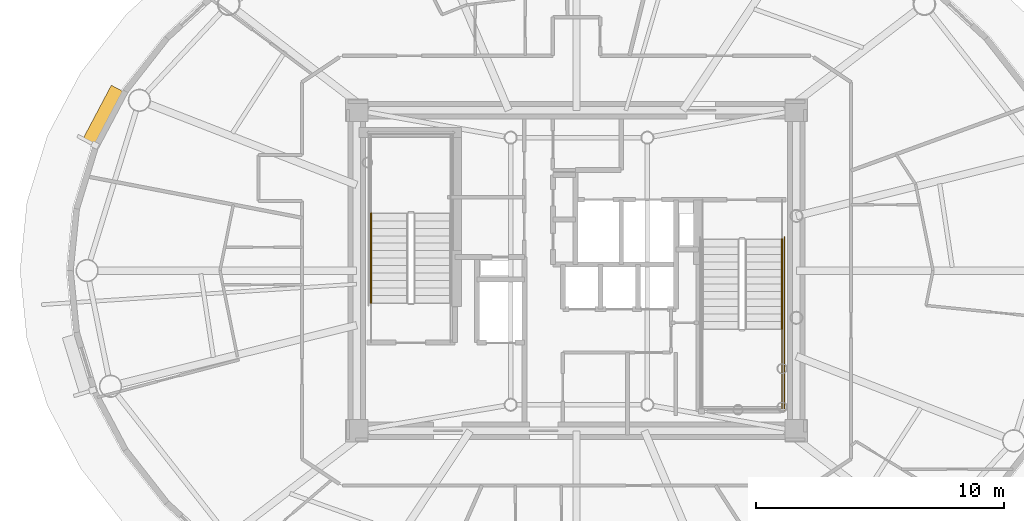
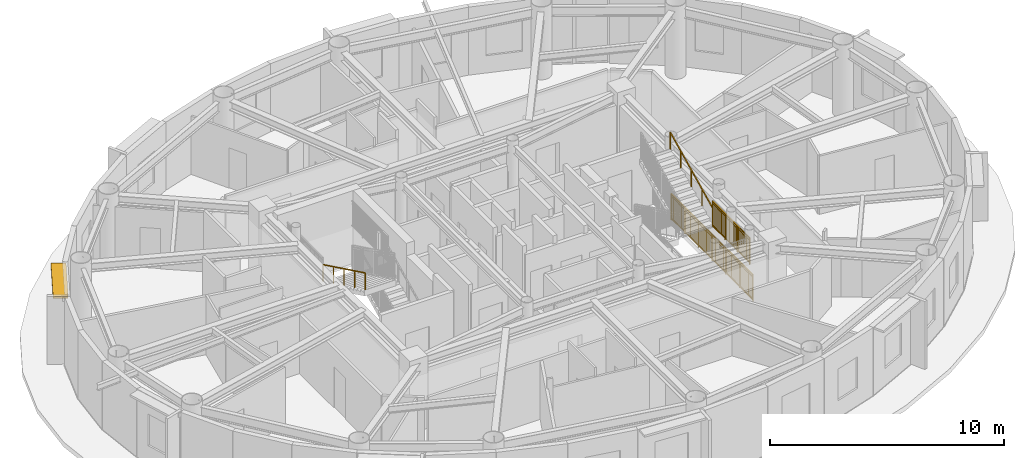
# One storey, part 14 of 17: 4 railings, 1 shading device.
"""IFC4 building model written with IfcOpenShell, lengths in metres."""

from ifc_helpers import new_model, si_unit, direction, frame, origin, origin_2d, place, context, subcontext, project, spatial, rectangle, extrude, source, transform, mapped, material, layer, layer_set, type_object, element, save


model = new_model("IFC4")

# Units and contexts
model_context = context("Model", 3, precision=1e-05, world=origin(), true_north=direction((0.0, 1.0)))
body_context = subcontext(model_context, "Body", "Model", "MODEL_VIEW")
ifc_project = project(units=[si_unit("LENGTHUNIT", "METRE"), si_unit("AREAUNIT", "SQUARE_METRE"), si_unit("VOLUMEUNIT", "CUBIC_METRE"), si_unit("PLANEANGLEUNIT", "RADIAN"), si_unit("MASSUNIT", "GRAM", prefix="KILO")], contexts=[model_context])

# Site, building, storey
site_placement = place(None, origin())
site = spatial("IfcSite", under=ifc_project, at=site_placement, CompositionType="ELEMENT")
building_placement = place(site_placement, origin())
building = spatial("IfcBuilding", under=site, at=building_placement, Name="Linh Dai School and Residence Tower", CompositionType="ELEMENT")
storey_placement = place(building_placement, frame((0.0, 0.0, 324.0)))
storey = spatial("IfcBuildingStorey", under=building, at=storey_placement, Name="L80", CompositionType="ELEMENT", Elevation=324.0)

# Shading device
ifc_material_1 = material(Name="Terracotta Ceramic Sunshade", Category="masonry")
ifc_layer = layer(ifc_material_1, 0.10009765625)
ifc_layer_set = layer_set([ifc_layer], Name="Terracotta Ceramic Sunshade")
shading_device_type = type_object("IfcShadingDeviceType", Name="SHD-TC-650", PredefinedType="USERDEFINED", material=ifc_layer_set)
shared_shape_1 = source(origin(), body_context, "Body", "SweptSolid", [
    extrude(rectangle(XDim=2.505615234375, YDim=0.64990234375, at=origin_2d()), origin(), (0.0, 0.0, 1.0), 0.10009765625),
])
shading_device_placement = place(storey_placement, frame((16.97705078125, 33.2001953125, 3.429931640625), z_axis=(0.0, 0.0, 1.0), x_axis=(0.46754020214, 0.883971809156, 0.0)))
element("IfcShadingDevice", 1, at=shading_device_placement, inside=storey, type_object=shading_device_type, Name="L80 Terracotta Horizontal Sunshade Band 18", ObjectType="SUNSHADE", PredefinedType="USERDEFINED", context=body_context, shape_type="MappedRepresentation", body=[
    mapped(shared_shape_1, transform((0.0, 0.0, 0.0), x_axis=(1.0, 0.0, 0.0), y_axis=(0.0, 1.0, 0.0), z_axis=(0.0, 0.0, 1.0), scale=1.0)),
])

# Railings
ifc_material_2 = material(Name="Brushed Stainless Steel Handrail", Category="steel")
railing_type_1 = type_object("IfcRailingType", Name="RL-ST-HANDRAIL-900", PredefinedType="HANDRAIL", material=ifc_material_2)
shared_shape_2 = source(origin(), body_context, "Body", "SweptSolid", [
    extrude(rectangle(XDim=0.048095703125, YDim=0.048095703125, at=origin_2d()), frame((0.0, 0.0, 0.8759765625), z_axis=(0.0, -0.898988637874, 0.437971949985), x_axis=(1.0, 0.0, 0.0)), (0.0, 0.0, 1.0), 4.004638671875),
    extrude(rectangle(XDim=0.0419921875, YDim=0.0419921875, at=origin_2d()), origin(), (0.0, 0.0, 1.0), 0.8759765625),
    extrude(rectangle(XDim=0.0419921875, YDim=0.0419921875, at=origin_2d()), frame((0.0, -0.89990234375, 0.4384765625)), (0.0, 0.0, 1.0), 0.8759765625),
    extrude(rectangle(XDim=0.0419921875, YDim=0.0419921875, at=origin_2d()), frame((0.0, -1.800048828125, 0.876953125)), (0.0, 0.0, 1.0), 0.8759765625),
    extrude(rectangle(XDim=0.0419921875, YDim=0.0419921875, at=origin_2d()), frame((0.0, -2.7001953125, 1.3154296875)), (0.0, 0.0, 1.0), 0.8759765625),
    extrude(rectangle(XDim=0.0419921875, YDim=0.0419921875, at=origin_2d()), frame((0.0, -3.60009765625, 1.75390625)), (0.0, 0.0, 1.0), 0.8759765625),
])
railing_1_placement = place(storey_placement, frame((27.72998046875, 29.300048828125, 2.046142578125)))
element("IfcRailing", 2, at=railing_1_placement, inside=storey, type_object=railing_type_1, Name="L80 ST1 stair handrail 2", PredefinedType="HANDRAIL", context=body_context, shape_type="MappedRepresentation", body=[
    mapped(shared_shape_2, transform((0.0, 0.0, 0.0), x_axis=(1.0, 0.0, 0.0), y_axis=(0.0, 1.0, 0.0), z_axis=(0.0, 0.0, 1.0), scale=1.0)),
])
shared_shape_3 = source(origin(), body_context, "Body", "SweptSolid", [
    extrude(rectangle(XDim=0.048095703125, YDim=0.048095703125, at=origin_2d()), frame((0.0, 0.0, 0.8759765625), z_axis=(0.0, 0.898988637874, 0.437971949985), x_axis=(-1.0, 0.0, 0.0)), (0.0, 0.0, 1.0), 4.004638671875),
    extrude(rectangle(XDim=0.0419921875, YDim=0.0419921875, at=origin_2d()), origin(), (0.0, 0.0, 1.0), 0.8759765625),
    extrude(rectangle(XDim=0.0419921875, YDim=0.0419921875, at=origin_2d()), frame((0.0, 0.89990234375, 0.4384765625)), (0.0, 0.0, 1.0), 0.8759765625),
    extrude(rectangle(XDim=0.0419921875, YDim=0.0419921875, at=origin_2d()), frame((0.0, 1.800048828125, 0.876953125)), (0.0, 0.0, 1.0), 0.8759765625),
    extrude(rectangle(XDim=0.0419921875, YDim=0.0419921875, at=origin_2d()), frame((0.0, 2.7001953125, 1.3154296875)), (0.0, 0.0, 1.0), 0.8759765625),
    extrude(rectangle(XDim=0.0419921875, YDim=0.0419921875, at=origin_2d()), frame((0.0, 3.60009765625, 1.75390625)), (0.0, 0.0, 1.0), 0.8759765625),
])
railing_2_placement = place(storey_placement, frame((44.27001953125, 24.64990234375, 2.046142578125)))
element("IfcRailing", 3, at=railing_2_placement, inside=storey, type_object=railing_type_1, Name="L80 ST2 stair handrail 2", PredefinedType="HANDRAIL", context=body_context, shape_type="MappedRepresentation", body=[
    mapped(shared_shape_3, transform((0.0, 0.0, 0.0), x_axis=(1.0, 0.0, 0.0), y_axis=(0.0, 1.0, 0.0), z_axis=(0.0, 0.0, 1.0), scale=1.0)),
])
ifc_material_3 = material(Name="Structural Steel S355JR", Category="steel")
railing_type_2 = type_object("IfcRailingType", Name="RL-ST-GUARD-1400", PredefinedType="GUARDRAIL", material=ifc_material_3)
shared_shape_4 = source(origin(), body_context, "Body", "SweptSolid", [
    extrude(rectangle(XDim=0.048095703125, YDim=0.048095703125, at=origin_2d()), frame((0.0, 0.0, 1.3759765625), z_axis=(0.0, -1.0, 0.0), x_axis=(1.0, 0.0, 0.0)), (0.0, 0.0, 1.0), 7.0),
    extrude(rectangle(XDim=0.048095703125, YDim=0.048095703125, at=origin_2d()), frame((0.0, 0.0, 0.10009765625), z_axis=(0.0, -1.0, 0.0), x_axis=(1.0, 0.0, 0.0)), (0.0, 0.0, 1.0), 7.0),
    extrude(rectangle(XDim=0.030029296875, YDim=0.030029296875, at=origin_2d()), frame((0.0, 0.0, 1.239990234375), z_axis=(0.0, -1.0, 0.0), x_axis=(1.0, 0.0, 0.0)), (0.0, 0.0, 1.0), 7.0),
    extrude(rectangle(XDim=0.02001953125, YDim=0.02001953125, at=origin_2d()), frame((0.0, -0.09716796875, 0.10009765625)), (0.0, 0.0, 1.0), 1.251708984375),
    extrude(rectangle(XDim=0.02001953125, YDim=0.02001953125, at=origin_2d()), frame((0.0, -0.1943359375, 0.10009765625)), (0.0, 0.0, 1.0), 1.251708984375),
    extrude(rectangle(XDim=0.02001953125, YDim=0.02001953125, at=origin_2d()), frame((0.0, -0.291748046875, 0.10009765625)), (0.0, 0.0, 1.0), 1.251708984375),
    extrude(rectangle(XDim=0.02001953125, YDim=0.02001953125, at=origin_2d()), frame((0.0, -0.388916015625, 0.10009765625)), (0.0, 0.0, 1.0), 1.251708984375),
    extrude(rectangle(XDim=0.02001953125, YDim=0.02001953125, at=origin_2d()), frame((0.0, -0.486083984375, 0.10009765625)), (0.0, 0.0, 1.0), 1.251708984375),
    extrude(rectangle(XDim=0.02001953125, YDim=0.02001953125, at=origin_2d()), frame((0.0, -0.583251953125, 0.10009765625)), (0.0, 0.0, 1.0), 1.251708984375),
    extrude(rectangle(XDim=0.02001953125, YDim=0.02001953125, at=origin_2d()), frame((0.0, -0.6806640625, 0.10009765625)), (0.0, 0.0, 1.0), 1.251708984375),
    extrude(rectangle(XDim=0.02001953125, YDim=0.02001953125, at=origin_2d()), frame((0.0, -0.77783203125, 0.10009765625)), (0.0, 0.0, 1.0), 1.251708984375),
    extrude(rectangle(XDim=0.02001953125, YDim=0.02001953125, at=origin_2d()), frame((0.0, -0.875, 0.10009765625)), (0.0, 0.0, 1.0), 1.251708984375),
    extrude(rectangle(XDim=0.02001953125, YDim=0.02001953125, at=origin_2d()), frame((0.0, -0.97216796875, 0.10009765625)), (0.0, 0.0, 1.0), 1.251708984375),
    extrude(rectangle(XDim=0.02001953125, YDim=0.02001953125, at=origin_2d()), frame((0.0, -1.0693359375, 0.10009765625)), (0.0, 0.0, 1.0), 1.251708984375),
    extrude(rectangle(XDim=0.02001953125, YDim=0.02001953125, at=origin_2d()), frame((0.0, -1.263916015625, 0.10009765625)), (0.0, 0.0, 1.0), 1.251708984375),
    extrude(rectangle(XDim=0.02001953125, YDim=0.02001953125, at=origin_2d()), frame((0.0, -1.361083984375, 0.10009765625)), (0.0, 0.0, 1.0), 1.251708984375),
    extrude(rectangle(XDim=0.02001953125, YDim=0.02001953125, at=origin_2d()), frame((0.0, -1.458251953125, 0.10009765625)), (0.0, 0.0, 1.0), 1.251708984375),
    extrude(rectangle(XDim=0.02001953125, YDim=0.02001953125, at=origin_2d()), frame((0.0, -1.5556640625, 0.10009765625)), (0.0, 0.0, 1.0), 1.251708984375),
    extrude(rectangle(XDim=0.02001953125, YDim=0.02001953125, at=origin_2d()), frame((0.0, -1.65283203125, 0.10009765625)), (0.0, 0.0, 1.0), 1.251708984375),
    extrude(rectangle(XDim=0.02001953125, YDim=0.02001953125, at=origin_2d()), frame((0.0, -1.75, 0.10009765625)), (0.0, 0.0, 1.0), 1.251708984375),
    extrude(rectangle(XDim=0.02001953125, YDim=0.02001953125, at=origin_2d()), frame((0.0, -1.84716796875, 0.10009765625)), (0.0, 0.0, 1.0), 1.251708984375),
    extrude(rectangle(XDim=0.02001953125, YDim=0.02001953125, at=origin_2d()), frame((0.0, -1.9443359375, 0.10009765625)), (0.0, 0.0, 1.0), 1.251708984375),
    extrude(rectangle(XDim=0.02001953125, YDim=0.02001953125, at=origin_2d()), frame((0.0, -2.041748046875, 0.10009765625)), (0.0, 0.0, 1.0), 1.251708984375),
    extrude(rectangle(XDim=0.02001953125, YDim=0.02001953125, at=origin_2d()), frame((0.0, -2.138916015625, 0.10009765625)), (0.0, 0.0, 1.0), 1.251708984375),
    extrude(rectangle(XDim=0.02001953125, YDim=0.02001953125, at=origin_2d()), frame((0.0, -2.236083984375, 0.10009765625)), (0.0, 0.0, 1.0), 1.251708984375),
    extrude(rectangle(XDim=0.02001953125, YDim=0.02001953125, at=origin_2d()), frame((0.0, -2.4306640625, 0.10009765625)), (0.0, 0.0, 1.0), 1.251708984375),
    extrude(rectangle(XDim=0.02001953125, YDim=0.02001953125, at=origin_2d()), frame((0.0, -2.52783203125, 0.10009765625)), (0.0, 0.0, 1.0), 1.251708984375),
    extrude(rectangle(XDim=0.02001953125, YDim=0.02001953125, at=origin_2d()), frame((0.0, -2.625, 0.10009765625)), (0.0, 0.0, 1.0), 1.251708984375),
    extrude(rectangle(XDim=0.02001953125, YDim=0.02001953125, at=origin_2d()), frame((0.0, -2.72216796875, 0.10009765625)), (0.0, 0.0, 1.0), 1.251708984375),
    extrude(rectangle(XDim=0.02001953125, YDim=0.02001953125, at=origin_2d()), frame((0.0, -2.8193359375, 0.10009765625)), (0.0, 0.0, 1.0), 1.251708984375),
    extrude(rectangle(XDim=0.02001953125, YDim=0.02001953125, at=origin_2d()), frame((0.0, -2.916748046875, 0.10009765625)), (0.0, 0.0, 1.0), 1.251708984375),
    extrude(rectangle(XDim=0.02001953125, YDim=0.02001953125, at=origin_2d()), frame((0.0, -3.013916015625, 0.10009765625)), (0.0, 0.0, 1.0), 1.251708984375),
    extrude(rectangle(XDim=0.02001953125, YDim=0.02001953125, at=origin_2d()), frame((0.0, -3.111083984375, 0.10009765625)), (0.0, 0.0, 1.0), 1.251708984375),
    extrude(rectangle(XDim=0.02001953125, YDim=0.02001953125, at=origin_2d()), frame((0.0, -3.208251953125, 0.10009765625)), (0.0, 0.0, 1.0), 1.251708984375),
    extrude(rectangle(XDim=0.02001953125, YDim=0.02001953125, at=origin_2d()), frame((0.0, -3.3056640625, 0.10009765625)), (0.0, 0.0, 1.0), 1.251708984375),
    extrude(rectangle(XDim=0.02001953125, YDim=0.02001953125, at=origin_2d()), frame((0.0, -3.40283203125, 0.10009765625)), (0.0, 0.0, 1.0), 1.251708984375),
    extrude(rectangle(XDim=0.02001953125, YDim=0.02001953125, at=origin_2d()), frame((0.0, -3.59716796875, 0.10009765625)), (0.0, 0.0, 1.0), 1.251708984375),
    extrude(rectangle(XDim=0.02001953125, YDim=0.02001953125, at=origin_2d()), frame((0.0, -3.6943359375, 0.10009765625)), (0.0, 0.0, 1.0), 1.251708984375),
    extrude(rectangle(XDim=0.02001953125, YDim=0.02001953125, at=origin_2d()), frame((0.0, -3.791748046875, 0.10009765625)), (0.0, 0.0, 1.0), 1.251708984375),
    extrude(rectangle(XDim=0.02001953125, YDim=0.02001953125, at=origin_2d()), frame((0.0, -3.888916015625, 0.10009765625)), (0.0, 0.0, 1.0), 1.251708984375),
    extrude(rectangle(XDim=0.02001953125, YDim=0.02001953125, at=origin_2d()), frame((0.0, -3.986083984375, 0.10009765625)), (0.0, 0.0, 1.0), 1.251708984375),
    extrude(rectangle(XDim=0.02001953125, YDim=0.02001953125, at=origin_2d()), frame((0.0, -4.083251953125, 0.10009765625)), (0.0, 0.0, 1.0), 1.251708984375),
    extrude(rectangle(XDim=0.02001953125, YDim=0.02001953125, at=origin_2d()), frame((0.0, -4.1806640625, 0.10009765625)), (0.0, 0.0, 1.0), 1.251708984375),
    extrude(rectangle(XDim=0.02001953125, YDim=0.02001953125, at=origin_2d()), frame((0.0, -4.27783203125, 0.10009765625)), (0.0, 0.0, 1.0), 1.251708984375),
    extrude(rectangle(XDim=0.02001953125, YDim=0.02001953125, at=origin_2d()), frame((0.0, -4.375, 0.10009765625)), (0.0, 0.0, 1.0), 1.251708984375),
    extrude(rectangle(XDim=0.02001953125, YDim=0.02001953125, at=origin_2d()), frame((0.0, -4.47216796875, 0.10009765625)), (0.0, 0.0, 1.0), 1.251708984375),
    extrude(rectangle(XDim=0.02001953125, YDim=0.02001953125, at=origin_2d()), frame((0.0, -4.5693359375, 0.10009765625)), (0.0, 0.0, 1.0), 1.251708984375),
    extrude(rectangle(XDim=0.02001953125, YDim=0.02001953125, at=origin_2d()), frame((0.0, -4.763916015625, 0.10009765625)), (0.0, 0.0, 1.0), 1.251708984375),
    extrude(rectangle(XDim=0.02001953125, YDim=0.02001953125, at=origin_2d()), frame((0.0, -4.861083984375, 0.10009765625)), (0.0, 0.0, 1.0), 1.251708984375),
    extrude(rectangle(XDim=0.02001953125, YDim=0.02001953125, at=origin_2d()), frame((0.0, -4.958251953125, 0.10009765625)), (0.0, 0.0, 1.0), 1.251708984375),
    extrude(rectangle(XDim=0.02001953125, YDim=0.02001953125, at=origin_2d()), frame((0.0, -5.0556640625, 0.10009765625)), (0.0, 0.0, 1.0), 1.251708984375),
    extrude(rectangle(XDim=0.02001953125, YDim=0.02001953125, at=origin_2d()), frame((0.0, -5.15283203125, 0.10009765625)), (0.0, 0.0, 1.0), 1.251708984375),
    extrude(rectangle(XDim=0.02001953125, YDim=0.02001953125, at=origin_2d()), frame((0.0, -5.25, 0.10009765625)), (0.0, 0.0, 1.0), 1.251708984375),
    extrude(rectangle(XDim=0.02001953125, YDim=0.02001953125, at=origin_2d()), frame((0.0, -5.34716796875, 0.10009765625)), (0.0, 0.0, 1.0), 1.251708984375),
    extrude(rectangle(XDim=0.02001953125, YDim=0.02001953125, at=origin_2d()), frame((0.0, -5.4443359375, 0.10009765625)), (0.0, 0.0, 1.0), 1.251708984375),
    extrude(rectangle(XDim=0.02001953125, YDim=0.02001953125, at=origin_2d()), frame((0.0, -5.541748046875, 0.10009765625)), (0.0, 0.0, 1.0), 1.251708984375),
    extrude(rectangle(XDim=0.02001953125, YDim=0.02001953125, at=origin_2d()), frame((0.0, -5.638916015625, 0.10009765625)), (0.0, 0.0, 1.0), 1.251708984375),
    extrude(rectangle(XDim=0.02001953125, YDim=0.02001953125, at=origin_2d()), frame((0.0, -5.736083984375, 0.10009765625)), (0.0, 0.0, 1.0), 1.251708984375),
    extrude(rectangle(XDim=0.02001953125, YDim=0.02001953125, at=origin_2d()), frame((0.0, -5.9306640625, 0.10009765625)), (0.0, 0.0, 1.0), 1.251708984375),
    extrude(rectangle(XDim=0.02001953125, YDim=0.02001953125, at=origin_2d()), frame((0.0, -6.02783203125, 0.10009765625)), (0.0, 0.0, 1.0), 1.251708984375),
    extrude(rectangle(XDim=0.02001953125, YDim=0.02001953125, at=origin_2d()), frame((0.0, -6.125, 0.10009765625)), (0.0, 0.0, 1.0), 1.251708984375),
    extrude(rectangle(XDim=0.02001953125, YDim=0.02001953125, at=origin_2d()), frame((0.0, -6.22216796875, 0.10009765625)), (0.0, 0.0, 1.0), 1.251708984375),
    extrude(rectangle(XDim=0.02001953125, YDim=0.02001953125, at=origin_2d()), frame((0.0, -6.3193359375, 0.10009765625)), (0.0, 0.0, 1.0), 1.251708984375),
    extrude(rectangle(XDim=0.02001953125, YDim=0.02001953125, at=origin_2d()), frame((0.0, -6.416748046875, 0.10009765625)), (0.0, 0.0, 1.0), 1.251708984375),
    extrude(rectangle(XDim=0.02001953125, YDim=0.02001953125, at=origin_2d()), frame((0.0, -6.513916015625, 0.10009765625)), (0.0, 0.0, 1.0), 1.251708984375),
    extrude(rectangle(XDim=0.02001953125, YDim=0.02001953125, at=origin_2d()), frame((0.0, -6.611083984375, 0.10009765625)), (0.0, 0.0, 1.0), 1.251708984375),
    extrude(rectangle(XDim=0.02001953125, YDim=0.02001953125, at=origin_2d()), frame((0.0, -6.708251953125, 0.10009765625)), (0.0, 0.0, 1.0), 1.251708984375),
    extrude(rectangle(XDim=0.02001953125, YDim=0.02001953125, at=origin_2d()), frame((0.0, -6.8056640625, 0.10009765625)), (0.0, 0.0, 1.0), 1.251708984375),
    extrude(rectangle(XDim=0.02001953125, YDim=0.02001953125, at=origin_2d()), frame((0.0, -6.90283203125, 0.10009765625)), (0.0, 0.0, 1.0), 1.251708984375),
    extrude(rectangle(XDim=0.0419921875, YDim=0.0419921875, at=origin_2d()), origin(), (0.0, 0.0, 1.0), 1.3759765625),
    extrude(rectangle(XDim=0.0419921875, YDim=0.0419921875, at=origin_2d()), frame((0.0, -1.166748046875, 0.0)), (0.0, 0.0, 1.0), 1.3759765625),
    extrude(rectangle(XDim=0.0419921875, YDim=0.0419921875, at=origin_2d()), frame((0.0, -2.333251953125, 0.0)), (0.0, 0.0, 1.0), 1.3759765625),
    extrude(rectangle(XDim=0.0419921875, YDim=0.0419921875, at=origin_2d()), frame((0.0, -3.5, 0.0)), (0.0, 0.0, 1.0), 1.3759765625),
    extrude(rectangle(XDim=0.0419921875, YDim=0.0419921875, at=origin_2d()), frame((0.0, -4.666748046875, 0.0)), (0.0, 0.0, 1.0), 1.3759765625),
    extrude(rectangle(XDim=0.0419921875, YDim=0.0419921875, at=origin_2d()), frame((0.0, -5.833251953125, 0.0)), (0.0, 0.0, 1.0), 1.3759765625),
    extrude(rectangle(XDim=0.0419921875, YDim=0.0419921875, at=origin_2d()), frame((0.0, -7.0, 0.0)), (0.0, 0.0, 1.0), 1.3759765625),
])
railing_3_placement = place(storey_placement, frame((44.3701171875, 28.35009765625, 0.0)))
element("IfcRailing", 4, at=railing_3_placement, inside=storey, type_object=railing_type_2, Name="L80 ST2 stair guard 11", PredefinedType="GUARDRAIL", context=body_context, shape_type="MappedRepresentation", body=[
    mapped(shared_shape_4, transform((0.0, 0.0, 0.0), x_axis=(1.0, 0.0, 0.0), y_axis=(0.0, 1.0, 0.0), z_axis=(0.0, 0.0, 1.0), scale=1.0)),
])
shared_shape_5 = source(origin(), body_context, "Body", "SweptSolid", [
    extrude(rectangle(XDim=0.048095703125, YDim=0.048095703125, at=origin_2d()), frame((0.0, 0.0, 1.3759765625), z_axis=(0.0, -1.0, 0.0), x_axis=(1.0, 0.0, 0.0)), (0.0, 0.0, 1.0), 3.199951171875),
    extrude(rectangle(XDim=0.048095703125, YDim=0.048095703125, at=origin_2d()), frame((0.0, 0.0, 0.10009765625), z_axis=(0.0, -1.0, 0.0), x_axis=(1.0, 0.0, 0.0)), (0.0, 0.0, 1.0), 3.199951171875),
    extrude(rectangle(XDim=0.030029296875, YDim=0.030029296875, at=origin_2d()), frame((0.0, 0.0, 1.239990234375), z_axis=(0.0, -1.0, 0.0), x_axis=(1.0, 0.0, 0.0)), (0.0, 0.0, 1.0), 3.199951171875),
    extrude(rectangle(XDim=0.02001953125, YDim=0.02001953125, at=origin_2d()), frame((0.0, -0.096923828125, 0.10009765625)), (0.0, 0.0, 1.0), 1.251708984375),
    extrude(rectangle(XDim=0.02001953125, YDim=0.02001953125, at=origin_2d()), frame((0.0, -0.19384765625, 0.10009765625)), (0.0, 0.0, 1.0), 1.251708984375),
    extrude(rectangle(XDim=0.02001953125, YDim=0.02001953125, at=origin_2d()), frame((0.0, -0.291015625, 0.10009765625)), (0.0, 0.0, 1.0), 1.251708984375),
    extrude(rectangle(XDim=0.02001953125, YDim=0.02001953125, at=origin_2d()), frame((0.0, -0.387939453125, 0.10009765625)), (0.0, 0.0, 1.0), 1.251708984375),
    extrude(rectangle(XDim=0.02001953125, YDim=0.02001953125, at=origin_2d()), frame((0.0, -0.48486328125, 0.10009765625)), (0.0, 0.0, 1.0), 1.251708984375),
    extrude(rectangle(XDim=0.02001953125, YDim=0.02001953125, at=origin_2d()), frame((0.0, -0.581787109375, 0.10009765625)), (0.0, 0.0, 1.0), 1.251708984375),
    extrude(rectangle(XDim=0.02001953125, YDim=0.02001953125, at=origin_2d()), frame((0.0, -0.6787109375, 0.10009765625)), (0.0, 0.0, 1.0), 1.251708984375),
    extrude(rectangle(XDim=0.02001953125, YDim=0.02001953125, at=origin_2d()), frame((0.0, -0.775634765625, 0.10009765625)), (0.0, 0.0, 1.0), 1.251708984375),
    extrude(rectangle(XDim=0.02001953125, YDim=0.02001953125, at=origin_2d()), frame((0.0, -0.872802734375, 0.10009765625)), (0.0, 0.0, 1.0), 1.251708984375),
    extrude(rectangle(XDim=0.02001953125, YDim=0.02001953125, at=origin_2d()), frame((0.0, -0.9697265625, 0.10009765625)), (0.0, 0.0, 1.0), 1.251708984375),
    extrude(rectangle(XDim=0.02001953125, YDim=0.02001953125, at=origin_2d()), frame((0.0, -1.16357421875, 0.10009765625)), (0.0, 0.0, 1.0), 1.251708984375),
    extrude(rectangle(XDim=0.02001953125, YDim=0.02001953125, at=origin_2d()), frame((0.0, -1.260498046875, 0.10009765625)), (0.0, 0.0, 1.0), 1.251708984375),
    extrude(rectangle(XDim=0.02001953125, YDim=0.02001953125, at=origin_2d()), frame((0.0, -1.357666015625, 0.10009765625)), (0.0, 0.0, 1.0), 1.251708984375),
    extrude(rectangle(XDim=0.02001953125, YDim=0.02001953125, at=origin_2d()), frame((0.0, -1.45458984375, 0.10009765625)), (0.0, 0.0, 1.0), 1.251708984375),
    extrude(rectangle(XDim=0.02001953125, YDim=0.02001953125, at=origin_2d()), frame((0.0, -1.551513671875, 0.10009765625)), (0.0, 0.0, 1.0), 1.251708984375),
    extrude(rectangle(XDim=0.02001953125, YDim=0.02001953125, at=origin_2d()), frame((0.0, -1.6484375, 0.10009765625)), (0.0, 0.0, 1.0), 1.251708984375),
    extrude(rectangle(XDim=0.02001953125, YDim=0.02001953125, at=origin_2d()), frame((0.0, -1.745361328125, 0.10009765625)), (0.0, 0.0, 1.0), 1.251708984375),
    extrude(rectangle(XDim=0.02001953125, YDim=0.02001953125, at=origin_2d()), frame((0.0, -1.84228515625, 0.10009765625)), (0.0, 0.0, 1.0), 1.251708984375),
    extrude(rectangle(XDim=0.02001953125, YDim=0.02001953125, at=origin_2d()), frame((0.0, -1.939453125, 0.10009765625)), (0.0, 0.0, 1.0), 1.251708984375),
    extrude(rectangle(XDim=0.02001953125, YDim=0.02001953125, at=origin_2d()), frame((0.0, -2.036376953125, 0.10009765625)), (0.0, 0.0, 1.0), 1.251708984375),
    extrude(rectangle(XDim=0.02001953125, YDim=0.02001953125, at=origin_2d()), frame((0.0, -2.230224609375, 0.10009765625)), (0.0, 0.0, 1.0), 1.251708984375),
    extrude(rectangle(XDim=0.02001953125, YDim=0.02001953125, at=origin_2d()), frame((0.0, -2.3271484375, 0.10009765625)), (0.0, 0.0, 1.0), 1.251708984375),
    extrude(rectangle(XDim=0.02001953125, YDim=0.02001953125, at=origin_2d()), frame((0.0, -2.42431640625, 0.10009765625)), (0.0, 0.0, 1.0), 1.251708984375),
    extrude(rectangle(XDim=0.02001953125, YDim=0.02001953125, at=origin_2d()), frame((0.0, -2.521240234375, 0.10009765625)), (0.0, 0.0, 1.0), 1.251708984375),
    extrude(rectangle(XDim=0.02001953125, YDim=0.02001953125, at=origin_2d()), frame((0.0, -2.6181640625, 0.10009765625)), (0.0, 0.0, 1.0), 1.251708984375),
    extrude(rectangle(XDim=0.02001953125, YDim=0.02001953125, at=origin_2d()), frame((0.0, -2.715087890625, 0.10009765625)), (0.0, 0.0, 1.0), 1.251708984375),
    extrude(rectangle(XDim=0.02001953125, YDim=0.02001953125, at=origin_2d()), frame((0.0, -2.81201171875, 0.10009765625)), (0.0, 0.0, 1.0), 1.251708984375),
    extrude(rectangle(XDim=0.02001953125, YDim=0.02001953125, at=origin_2d()), frame((0.0, -2.908935546875, 0.10009765625)), (0.0, 0.0, 1.0), 1.251708984375),
    extrude(rectangle(XDim=0.02001953125, YDim=0.02001953125, at=origin_2d()), frame((0.0, -3.006103515625, 0.10009765625)), (0.0, 0.0, 1.0), 1.251708984375),
    extrude(rectangle(XDim=0.02001953125, YDim=0.02001953125, at=origin_2d()), frame((0.0, -3.10302734375, 0.10009765625)), (0.0, 0.0, 1.0), 1.251708984375),
    extrude(rectangle(XDim=0.0419921875, YDim=0.0419921875, at=origin_2d()), origin(), (0.0, 0.0, 1.0), 1.3759765625),
    extrude(rectangle(XDim=0.0419921875, YDim=0.0419921875, at=origin_2d()), frame((0.0, -1.066650390625, 0.0)), (0.0, 0.0, 1.0), 1.3759765625),
    extrude(rectangle(XDim=0.0419921875, YDim=0.0419921875, at=origin_2d()), frame((0.0, -2.13330078125, 0.0)), (0.0, 0.0, 1.0), 1.3759765625),
    extrude(rectangle(XDim=0.0419921875, YDim=0.0419921875, at=origin_2d()), frame((0.0, -3.199951171875, 0.0)), (0.0, 0.0, 1.0), 1.3759765625),
])
railing_4_placement = place(storey_placement, frame((44.27001953125, 24.64990234375, 1.89990234375)))
element("IfcRailing", 5, at=railing_4_placement, inside=storey, type_object=railing_type_2, Name="L80 ST2 stair guard 4", PredefinedType="GUARDRAIL", context=body_context, shape_type="MappedRepresentation", body=[
    mapped(shared_shape_5, transform((0.0, 0.0, 0.0), x_axis=(1.0, 0.0, 0.0), y_axis=(0.0, 1.0, 0.0), z_axis=(0.0, 0.0, 1.0), scale=1.0)),
])

save(model, "model.ifc")
